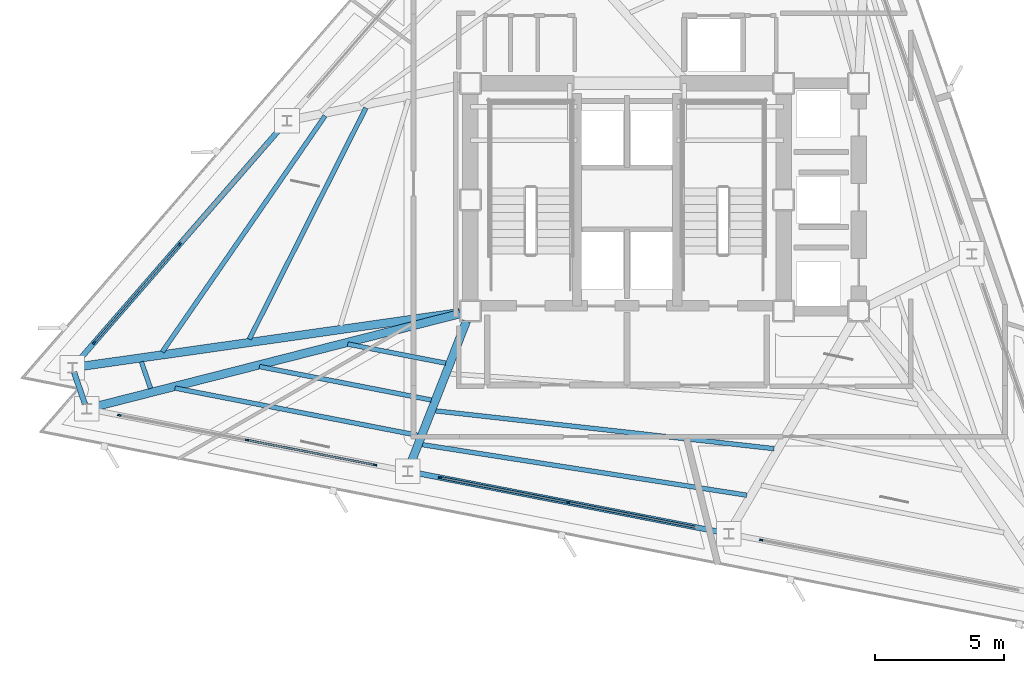
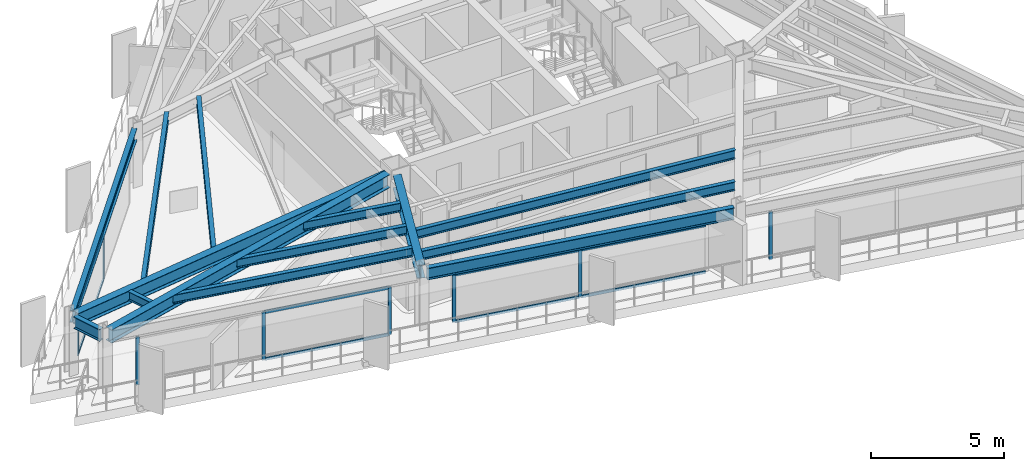
# One storey, part 2 of 13: 16 members, 14 beams, 4 elements without a shape of their own.
"""IFC4 building model written with IfcOpenShell, lengths in metres."""

from ifc_helpers import new_model, si_unit, direction, frame, origin, origin_2d, place, context, subcontext, project, spatial, rectangle, i_section, extrude, material, layer, layer_set, material_profile, profile_set, type_object, element, aggregate, save


model = new_model("IFC4")

# Units and contexts
model_context = context("Model", 3, precision=1e-05, world=origin(), true_north=direction((0.0, 1.0)))
body_context = subcontext(model_context, "Body", "Model", "MODEL_VIEW")
ifc_project = project(units=[si_unit("LENGTHUNIT", "METRE"), si_unit("AREAUNIT", "SQUARE_METRE"), si_unit("VOLUMEUNIT", "CUBIC_METRE"), si_unit("PLANEANGLEUNIT", "RADIAN"), si_unit("MASSUNIT", "GRAM", prefix="KILO")], contexts=[model_context])

# Site, building, storey
site_placement = place(None, origin())
site = spatial("IfcSite", under=ifc_project, at=site_placement, CompositionType="ELEMENT")
building_placement = place(site_placement, origin())
building = spatial("IfcBuilding", under=site, at=building_placement, Name="Rocaltana Carrier Exchange", CompositionType="ELEMENT")
storey_placement = place(building_placement, frame((0.0, 0.0, 147.199951171875)))
storey = spatial("IfcBuildingStorey", under=building, at=storey_placement, Name="L46", CompositionType="ELEMENT", Elevation=147.199951171875)

# Curtain wall, members
ifc_material_1 = material(Name="Aluminium 6063-T6", Category="aluminium")
ifc_layer = layer(ifc_material_1, 0.135009765625)
ifc_layer_set = layer_set([ifc_layer], Name="Aluminium 6063-T6")
curtain_wall_type = type_object("IfcCurtainWallType", Name="Upper-Mid Acoustic Curtain Wall CW-04", PredefinedType="NOTDEFINED", material=ifc_layer_set)
curtain_wall_1_placement = place(storey_placement, origin())
curtain_wall_1 = element("IfcCurtainWall", 1, at=curtain_wall_1_placement, inside=storey, type_object=curtain_wall_type, Name="L46 CW-04 Run CW-L46-F2S3", PredefinedType="NOTDEFINED")
ifc_material_2 = material(Name="Aluminium 6063-T6", Category="aluminium")
ifc_material_profile_1 = material_profile(ifc_material_2, rectangle(XDim=0.06494140625, YDim=0.135009765625, at=origin_2d()), Name="AL-65X135")
ifc_profile_set_1 = profile_set([ifc_material_profile_1], Name="Aluminium 6063-T6")
member_type_1 = type_object("IfcMemberType", Name="CW-04 Mullion AL-65X135", PredefinedType="MULLION", material=ifc_profile_set_1)
member_1_placement = place(storey_placement, frame((-17.279541015625, -1.718505859375, 0.0), z_axis=(0.0, 0.0, 1.0), x_axis=(0.75471173919, -0.656056545375, 0.0)))
member_1 = element("IfcMember", 2, at=member_1_placement, type_object=member_type_1, Name="CW-04 mullion 2", PredefinedType="MULLION", context=body_context, shape_type="SweptSolid", body=[
    extrude(rectangle(XDim=0.06494140625, YDim=0.135009765625, at=origin_2d()), origin(), (0.0, 0.0, 1.0), 2.218017578125),
])
member_2_placement = place(storey_placement, frame((-20.582275390625, -5.517822265625, 0.0), z_axis=(0.0, 0.0, 1.0), x_axis=(0.75471173919, -0.656056545375, 0.0)))
member_2 = element("IfcMember", 3, at=member_2_placement, type_object=member_type_1, Name="CW-04 mullion 3", PredefinedType="MULLION", context=body_context, shape_type="SweptSolid", body=[
    extrude(rectangle(XDim=0.06494140625, YDim=0.135009765625, at=origin_2d()), origin(), (0.0, 0.0, 1.0), 2.218017578125),
])

curtain_wall_2_placement = place(storey_placement, origin())
curtain_wall_2 = element("IfcCurtainWall", 4, at=curtain_wall_2_placement, inside=storey, type_object=curtain_wall_type, Name="L46 CW-04 Run CW-L46-F3S1", PredefinedType="NOTDEFINED")
member_3_placement = place(storey_placement, frame((-19.6162109375, -8.323486328125, 0.0), z_axis=(0.0, 0.0, 1.0), x_axis=(0.190803361378, 0.981628278569, 0.0)))
member_3 = element("IfcMember", 5, at=member_3_placement, type_object=member_type_1, Name="CW-04 mullion 1", PredefinedType="MULLION", context=body_context, shape_type="SweptSolid", body=[
    extrude(rectangle(XDim=0.06494140625, YDim=0.135009765625, at=origin_2d()), origin(), (0.0, 0.0, 1.0), 2.218017578125),
])
member_4_placement = place(storey_placement, frame((-14.674560546875, -9.2841796875, 0.0), z_axis=(0.0, 0.0, 1.0), x_axis=(0.190803361378, 0.981628278569, 0.0)))
member_4 = element("IfcMember", 6, at=member_4_placement, type_object=member_type_1, Name="CW-04 mullion 2", PredefinedType="MULLION", context=body_context, shape_type="SweptSolid", body=[
    extrude(rectangle(XDim=0.06494140625, YDim=0.135009765625, at=origin_2d()), origin(), (0.0, 0.0, 1.0), 2.218017578125),
])
member_5_placement = place(storey_placement, frame((-9.732666015625, -10.24462890625, 0.0), z_axis=(0.0, 0.0, 1.0), x_axis=(0.190803361378, 0.981628278569, 0.0)))
member_5 = element("IfcMember", 7, at=member_5_placement, type_object=member_type_1, Name="CW-04 mullion 3", PredefinedType="MULLION", context=body_context, shape_type="SweptSolid", body=[
    extrude(rectangle(XDim=0.06494140625, YDim=0.135009765625, at=origin_2d()), origin(), (0.0, 0.0, 1.0), 2.218017578125),
])

curtain_wall_3_placement = place(storey_placement, origin())
curtain_wall_3 = element("IfcCurtainWall", 8, at=curtain_wall_3_placement, inside=storey, type_object=curtain_wall_type, Name="L46 CW-04 Run CW-L46-F3S2", PredefinedType="NOTDEFINED")
member_6_placement = place(storey_placement, frame((-7.21484375, -10.734130859375, 0.0), z_axis=(0.0, 0.0, 1.0), x_axis=(0.190814718784, 0.981626070913, 0.0)))
member_6 = element("IfcMember", 9, at=member_6_placement, type_object=member_type_1, Name="CW-04 mullion 1", PredefinedType="MULLION", context=body_context, shape_type="SweptSolid", body=[
    extrude(rectangle(XDim=0.06494140625, YDim=0.135009765625, at=origin_2d()), origin(), (0.0, 0.0, 1.0), 2.218017578125),
])
member_7_placement = place(storey_placement, frame((-2.273193359375, -11.694580078125, 0.0), z_axis=(0.0, 0.0, 1.0), x_axis=(0.190814718784, 0.981626070913, 0.0)))
member_7 = element("IfcMember", 10, at=member_7_placement, type_object=member_type_1, Name="CW-04 mullion 2", PredefinedType="MULLION", context=body_context, shape_type="SweptSolid", body=[
    extrude(rectangle(XDim=0.06494140625, YDim=0.135009765625, at=origin_2d()), origin(), (0.0, 0.0, 1.0), 2.218017578125),
])

# Curtain wall, member
curtain_wall_4_placement = place(storey_placement, origin())
curtain_wall_4 = element("IfcCurtainWall", 11, at=curtain_wall_4_placement, inside=storey, type_object=curtain_wall_type, Name="L46 CW-04 Run CW-L46-F3S3", PredefinedType="NOTDEFINED")
member_8_placement = place(storey_placement, frame((5.186279296875, -13.144775390625, 0.0), z_axis=(0.0, 0.0, 1.0), x_axis=(0.190805209699, 0.981627919301, 0.0)))
member_8 = element("IfcMember", 12, at=member_8_placement, type_object=member_type_1, Name="CW-04 mullion 1", PredefinedType="MULLION", context=body_context, shape_type="SweptSolid", body=[
    extrude(rectangle(XDim=0.06494140625, YDim=0.135009765625, at=origin_2d()), origin(), (0.0, 0.0, 1.0), 2.218017578125),
])
aggregate(curtain_wall_4, [member_8])

# Member
ifc_material_3 = material(Name="Aluminium 6063-T6", Category="aluminium")
ifc_material_profile_2 = material_profile(ifc_material_3, rectangle(XDim=0.06494140625, YDim=0.135009765625, at=origin_2d()), Name="AL-65X135")
ifc_profile_set_2 = profile_set([ifc_material_profile_2], Name="Aluminium 6063-T6")
member_type_2 = type_object("IfcMemberType", Name="CW-04 Transom AL-65X135", PredefinedType="USERDEFINED", material=ifc_profile_set_2)
member_9_placement = place(storey_placement, frame((-17.30078125, -1.742919921875, 0.032470703125), z_axis=(-0.656055850486, -0.754712343243, 0.0), x_axis=(0.754712343243, -0.656055850486, 0.0)))
member_9 = element("IfcMember", 13, at=member_9_placement, type_object=member_type_2, Name="CW-04 transom 2.1", ObjectType="TRANSOM", PredefinedType="USERDEFINED", context=body_context, shape_type="SweptSolid", body=[
    extrude(rectangle(XDim=0.06494140625, YDim=0.135009765625, at=origin_2d()), origin(), (0.0, 0.0, 1.0), 4.968994140625),
])

member_10_placement = place(storey_placement, frame((-17.30078125, -1.742919921875, 2.185546875), z_axis=(-0.656055850486, -0.754712343243, 0.0), x_axis=(0.754712343243, -0.656055850486, 0.0)))
member_10 = element("IfcMember", 14, at=member_10_placement, type_object=member_type_2, Name="CW-04 transom 2.2", ObjectType="TRANSOM", PredefinedType="USERDEFINED", context=body_context, shape_type="SweptSolid", body=[
    extrude(rectangle(XDim=0.06494140625, YDim=0.135009765625, at=origin_2d()), origin(), (0.0, 0.0, 1.0), 4.968994140625),
])

aggregate(curtain_wall_1, [member_1, member_2, member_9, member_10])

member_11_placement = place(storey_placement, frame((-14.642578125, -9.290283203125, 0.032470703125), z_axis=(0.981624593621, -0.1908223184, 0.0), x_axis=(0.1908223184, 0.981624593621, 0.0)))
member_11 = element("IfcMember", 15, at=member_11_placement, type_object=member_type_2, Name="CW-04 transom 2.1", ObjectType="TRANSOM", PredefinedType="USERDEFINED", context=body_context, shape_type="SweptSolid", body=[
    extrude(rectangle(XDim=0.06494140625, YDim=0.135009765625, at=origin_2d()), origin(), (0.0, 0.0, 1.0), 4.96923828125),
])

member_12_placement = place(storey_placement, frame((-14.642578125, -9.290283203125, 2.185546875), z_axis=(0.981624593621, -0.1908223184, 0.0), x_axis=(0.1908223184, 0.981624593621, 0.0)))
member_12 = element("IfcMember", 16, at=member_12_placement, type_object=member_type_2, Name="CW-04 transom 2.2", ObjectType="TRANSOM", PredefinedType="USERDEFINED", context=body_context, shape_type="SweptSolid", body=[
    extrude(rectangle(XDim=0.06494140625, YDim=0.135009765625, at=origin_2d()), origin(), (0.0, 0.0, 1.0), 4.96923828125),
])

aggregate(curtain_wall_2, [member_3, member_4, member_5, member_11, member_12])

member_13_placement = place(storey_placement, frame((-7.18310546875, -10.740234375, 0.032470703125), z_axis=(0.981624593621, -0.1908223184, 0.0), x_axis=(0.1908223184, 0.981624593621, 0.0)))
member_13 = element("IfcMember", 17, at=member_13_placement, type_object=member_type_2, Name="CW-04 transom 1.1", ObjectType="TRANSOM", PredefinedType="USERDEFINED", context=body_context, shape_type="SweptSolid", body=[
    extrude(rectangle(XDim=0.06494140625, YDim=0.135009765625, at=origin_2d()), origin(), (0.0, 0.0, 1.0), 4.96923828125),
])

member_14_placement = place(storey_placement, frame((-7.18310546875, -10.740234375, 2.185546875), z_axis=(0.981624593621, -0.1908223184, 0.0), x_axis=(0.1908223184, 0.981624593621, 0.0)))
member_14 = element("IfcMember", 18, at=member_14_placement, type_object=member_type_2, Name="CW-04 transom 1.2", ObjectType="TRANSOM", PredefinedType="USERDEFINED", context=body_context, shape_type="SweptSolid", body=[
    extrude(rectangle(XDim=0.06494140625, YDim=0.135009765625, at=origin_2d()), origin(), (0.0, 0.0, 1.0), 4.96923828125),
])

member_15_placement = place(storey_placement, frame((-2.2412109375, -11.700927734375, 0.032470703125), z_axis=(0.9816228045, -0.190831521732, 0.0), x_axis=(0.190831521732, 0.9816228045, 0.0)))
member_15 = element("IfcMember", 19, at=member_15_placement, type_object=member_type_2, Name="CW-04 transom 2.1", ObjectType="TRANSOM", PredefinedType="USERDEFINED", context=body_context, shape_type="SweptSolid", body=[
    extrude(rectangle(XDim=0.06494140625, YDim=0.135009765625, at=origin_2d()), origin(), (0.0, 0.0, 1.0), 4.968994140625),
])

member_16_placement = place(storey_placement, frame((-2.2412109375, -11.700927734375, 2.185546875), z_axis=(0.9816228045, -0.190831521732, 0.0), x_axis=(0.190831521732, 0.9816228045, 0.0)))
member_16 = element("IfcMember", 20, at=member_16_placement, type_object=member_type_2, Name="CW-04 transom 2.2", ObjectType="TRANSOM", PredefinedType="USERDEFINED", context=body_context, shape_type="SweptSolid", body=[
    extrude(rectangle(XDim=0.06494140625, YDim=0.135009765625, at=origin_2d()), origin(), (0.0, 0.0, 1.0), 4.968994140625),
])

aggregate(curtain_wall_3, [member_6, member_7, member_13, member_14, member_15, member_16])

# Beams
ifc_material_4 = material(Name="Steel S355", Category="steel")
ifc_material_profile_3 = material_profile(ifc_material_4, i_section(OverallWidth=0.179931640625, OverallDepth=0.4130859375, WebThickness=0.009765625, FlangeThickness=0.01611328125, FilletRadius=0.012939453125, at=origin_2d()), Name="W16X50")
ifc_profile_set_3 = profile_set([ifc_material_profile_3], Name="Steel S355")
beam_type_1 = type_object("IfcBeamType", Name="Floor Joist W16X50", PredefinedType="JOIST", material=ifc_profile_set_3)
beam_1_placement = place(storey_placement, frame((-10.087890625, 3.548095703125, 2.58154296875), z_axis=(-0.449993841854, -0.893031658058, 0.0), x_axis=(0.893031658058, -0.449993841854, 0.0)))
element("IfcBeam", 21, at=beam_1_placement, inside=storey, type_object=beam_type_1, Name="FJ-L46-07-2", PredefinedType="JOIST", context=body_context, shape_type="SweptSolid", body=[
    extrude(i_section(OverallWidth=0.179931640625, OverallDepth=0.4130859375, WebThickness=0.009765625, FlangeThickness=0.01611328125, FilletRadius=0.012939453125, at=origin_2d()), origin(), (0.0, 0.0, 1.0), 10.0029296875),
])
beam_2_placement = place(storey_placement, frame((-11.665283203125, 3.239501953125, 2.58154296875), z_axis=(-0.567777260515, -0.823182229183, 0.0), x_axis=(0.823182229183, -0.567777260515, 0.0)))
element("IfcBeam", 22, at=beam_2_placement, inside=storey, type_object=beam_type_1, Name="FJ-L46-07-3", PredefinedType="JOIST", context=body_context, shape_type="SweptSolid", body=[
    extrude(i_section(OverallWidth=0.179931640625, OverallDepth=0.4130859375, WebThickness=0.009765625, FlangeThickness=0.01611328125, FilletRadius=0.012939453125, at=origin_2d()), origin(), (0.0, 0.0, 1.0), 11.073974609375),
])
beam_3_placement = place(storey_placement, frame((-18.75927734375, -6.26171875, 2.58154296875), z_axis=(0.32558209601, -0.945513775023, 0.0), x_axis=(0.945513775023, 0.32558209601, 0.0)))
element("IfcBeam", 23, at=beam_3_placement, inside=storey, type_object=beam_type_1, Name="FJ-L46-08-3", PredefinedType="JOIST", context=body_context, shape_type="SweptSolid", body=[
    extrude(i_section(OverallWidth=0.179931640625, OverallDepth=0.4130859375, WebThickness=0.009765625, FlangeThickness=0.01611328125, FilletRadius=0.012939453125, at=origin_2d()), origin(), (0.0, 0.0, 1.0), 1.08642578125),
])
beam_4_placement = place(storey_placement, frame((-10.7890625, -5.576904296875, 2.58154296875), z_axis=(0.981632516302, -0.190781558172, 0.0), x_axis=(0.190781558172, 0.981632516302, 0.0)))
element("IfcBeam", 24, at=beam_4_placement, inside=storey, type_object=beam_type_1, Name="FJ-L46-09-1", PredefinedType="JOIST", context=body_context, shape_type="SweptSolid", body=[
    extrude(i_section(OverallWidth=0.179931640625, OverallDepth=0.4130859375, WebThickness=0.009765625, FlangeThickness=0.01611328125, FilletRadius=0.012939453125, at=origin_2d()), origin(), (0.0, 0.0, 1.0), 3.85693359375),
])
beam_5_placement = place(storey_placement, frame((-14.198974609375, -6.44580078125, 2.58154296875), z_axis=(0.981623092211, -0.190830041758, 0.0), x_axis=(0.190830041758, 0.981623092211, 0.0)))
element("IfcBeam", 25, at=beam_5_placement, inside=storey, type_object=beam_type_1, Name="FJ-L46-09-2", PredefinedType="JOIST", context=body_context, shape_type="SweptSolid", body=[
    extrude(i_section(OverallWidth=0.179931640625, OverallDepth=0.4130859375, WebThickness=0.009765625, FlangeThickness=0.01611328125, FilletRadius=0.012939453125, at=origin_2d()), origin(), (0.0, 0.0, 1.0), 6.7626953125),
])
beam_6_placement = place(storey_placement, frame((-17.46044921875, -7.27734375, 2.58154296875), z_axis=(0.981630034489, -0.190794327456, 0.0), x_axis=(0.190794327456, 0.981630034489, 0.0)))
element("IfcBeam", 26, at=beam_6_placement, inside=storey, type_object=beam_type_1, Name="FJ-L46-09-3", PredefinedType="JOIST", context=body_context, shape_type="SweptSolid", body=[
    extrude(i_section(OverallWidth=0.179931640625, OverallDepth=0.4130859375, WebThickness=0.009765625, FlangeThickness=0.01611328125, FilletRadius=0.012939453125, at=origin_2d()), origin(), (0.0, 0.0, 1.0), 9.5419921875),
])
beam_7_placement = place(storey_placement, frame((-7.397705078125, -8.15478515625, 2.58154296875), z_axis=(0.993827043541, -0.110940558529, 0.0), x_axis=(0.110940558529, 0.993827043541, 0.0)))
element("IfcBeam", 27, at=beam_7_placement, inside=storey, type_object=beam_type_1, Name="FJ-L46-10-2", PredefinedType="JOIST", context=body_context, shape_type="SweptSolid", body=[
    extrude(i_section(OverallWidth=0.179931640625, OverallDepth=0.4130859375, WebThickness=0.009765625, FlangeThickness=0.01611328125, FilletRadius=0.012939453125, at=origin_2d()), origin(), (0.0, 0.0, 1.0), 13.159912109375),
])
beam_8_placement = place(storey_placement, frame((-7.90771484375, -9.461181640625, 2.58154296875), z_axis=(0.988080457821, -0.153938328148, 0.0), x_axis=(0.153938328148, 0.988080457821, 0.0)))
element("IfcBeam", 28, at=beam_8_placement, inside=storey, type_object=beam_type_1, Name="FJ-L46-10-3", PredefinedType="JOIST", context=body_context, shape_type="SweptSolid", body=[
    extrude(i_section(OverallWidth=0.179931640625, OverallDepth=0.4130859375, WebThickness=0.009765625, FlangeThickness=0.01611328125, FilletRadius=0.012939453125, at=origin_2d()), origin(), (0.0, 0.0, 1.0), 12.68603515625),
])
ifc_material_5 = material(Name="Steel S355", Category="steel")
ifc_material_profile_4 = material_profile(ifc_material_5, i_section(OverallWidth=0.323974609375, OverallDepth=0.611083984375, WebThickness=0.0126953125, FlangeThickness=0.01904296875, FilletRadius=0.01611328125, at=origin_2d()), Name="W24X104")
ifc_profile_set_4 = profile_set([ifc_material_profile_4], Name="Steel S355")
beam_type_2 = type_object("IfcBeamType", Name="Radial Girder W24X104", PredefinedType="BEAM", material=ifc_profile_set_4)
beam_9_placement = place(storey_placement, frame((-6.462890625, -4.358642578125, 2.482666015625), z_axis=(-0.990043529364, -0.14076153581, 0.0), x_axis=(0.14076153581, -0.990043529364, 0.0)))
element("IfcBeam", 29, at=beam_9_placement, inside=storey, type_object=beam_type_2, Name="RG-L46-08", PredefinedType="BEAM", context=body_context, shape_type="SweptSolid", body=[
    extrude(i_section(OverallWidth=0.323974609375, OverallDepth=0.611083984375, WebThickness=0.0126953125, FlangeThickness=0.01904296875, FilletRadius=0.01611328125, at=origin_2d()), origin(), (0.0, 0.0, 1.0), 14.91943359375),
])
beam_10_placement = place(storey_placement, frame((-6.4541015625, -4.403076171875, 2.482666015625), z_axis=(-0.969017811035, -0.246990853873, 0.0), x_axis=(0.246990853873, -0.969017811035, 0.0)))
element("IfcBeam", 30, at=beam_10_placement, inside=storey, type_object=beam_type_2, Name="RG-L46-09", PredefinedType="BEAM", context=body_context, shape_type="SweptSolid", body=[
    extrude(i_section(OverallWidth=0.323974609375, OverallDepth=0.611083984375, WebThickness=0.0126953125, FlangeThickness=0.01904296875, FilletRadius=0.01611328125, at=origin_2d()), origin(), (0.0, 0.0, 1.0), 14.6904296875),
])
beam_11_placement = place(storey_placement, frame((-6.2021484375, -4.688232421875, 2.482666015625), z_axis=(-0.364640194484, -0.931148499739, 0.0), x_axis=(0.931148499739, -0.364640194484, 0.0)))
element("IfcBeam", 31, at=beam_11_placement, inside=storey, type_object=beam_type_2, Name="RG-L46-10", PredefinedType="BEAM", context=body_context, shape_type="SweptSolid", body=[
    extrude(i_section(OverallWidth=0.323974609375, OverallDepth=0.611083984375, WebThickness=0.0126953125, FlangeThickness=0.01904296875, FilletRadius=0.01611328125, at=origin_2d()), origin(), (0.0, 0.0, 1.0), 6.03857421875),
])
ifc_material_6 = material(Name="Steel S355", Category="steel")
ifc_material_profile_5 = material_profile(ifc_material_6, i_section(OverallWidth=0.2119140625, OverallDepth=0.5439453125, WebThickness=0.01318359375, FlangeThickness=0.021240234375, FilletRadius=0.014892578125, at=origin_2d()), Name="W21X83")
ifc_profile_set_5 = profile_set([ifc_material_profile_5], Name="Steel S355")
beam_type_3 = type_object("IfcBeamType", Name="Spandrel Edge Beam W21X83", PredefinedType="SPANDREL", material=ifc_profile_set_5)
beam_12_placement = place(storey_placement, frame((-13.260986328125, 2.904296875, 2.51611328125), z_axis=(-0.65606029169, -0.754708482573, 0.0), x_axis=(0.754708482573, -0.65606029169, 0.0)))
element("IfcBeam", 32, at=beam_12_placement, inside=storey, type_object=beam_type_3, Name="SP-L46-07", PredefinedType="SPANDREL", context=body_context, shape_type="SweptSolid", body=[
    extrude(i_section(OverallWidth=0.2119140625, OverallDepth=0.5439453125, WebThickness=0.01318359375, FlangeThickness=0.021240234375, FilletRadius=0.014892578125, at=origin_2d()), origin(), (0.0, 0.0, 1.0), 12.25048828125),
])
beam_13_placement = place(storey_placement, frame((-21.361328125, -6.666748046875, 2.51611328125), z_axis=(0.325551418294, -0.945524338157, 0.0), x_axis=(0.945524338157, 0.325551418294, 0.0)))
element("IfcBeam", 33, at=beam_13_placement, inside=storey, type_object=beam_type_3, Name="SP-L46-08", PredefinedType="SPANDREL", context=body_context, shape_type="SweptSolid", body=[
    extrude(i_section(OverallWidth=0.2119140625, OverallDepth=0.5439453125, WebThickness=0.01318359375, FlangeThickness=0.021240234375, FilletRadius=0.014892578125, at=origin_2d()), origin(), (0.0, 0.0, 1.0), 1.3017578125),
])
beam_14_placement = place(storey_placement, frame((-8.285888671875, -10.52587890625, 2.51611328125), z_axis=(0.981624930675, -0.190820584522, 0.0), x_axis=(0.190820584522, 0.981624930675, 0.0)))
element("IfcBeam", 34, at=beam_14_placement, inside=storey, type_object=beam_type_3, Name="SP-L46-10", PredefinedType="SPANDREL", context=body_context, shape_type="SweptSolid", body=[
    extrude(i_section(OverallWidth=0.2119140625, OverallDepth=0.5439453125, WebThickness=0.01318359375, FlangeThickness=0.021240234375, FilletRadius=0.014892578125, at=origin_2d()), origin(), (0.0, 0.0, 1.0), 12.25048828125),
])

save(model, "model.ifc")
